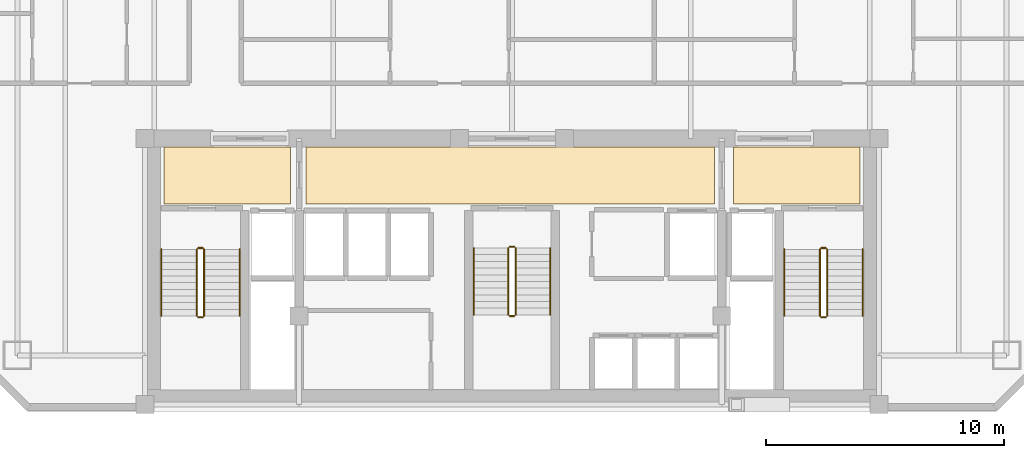
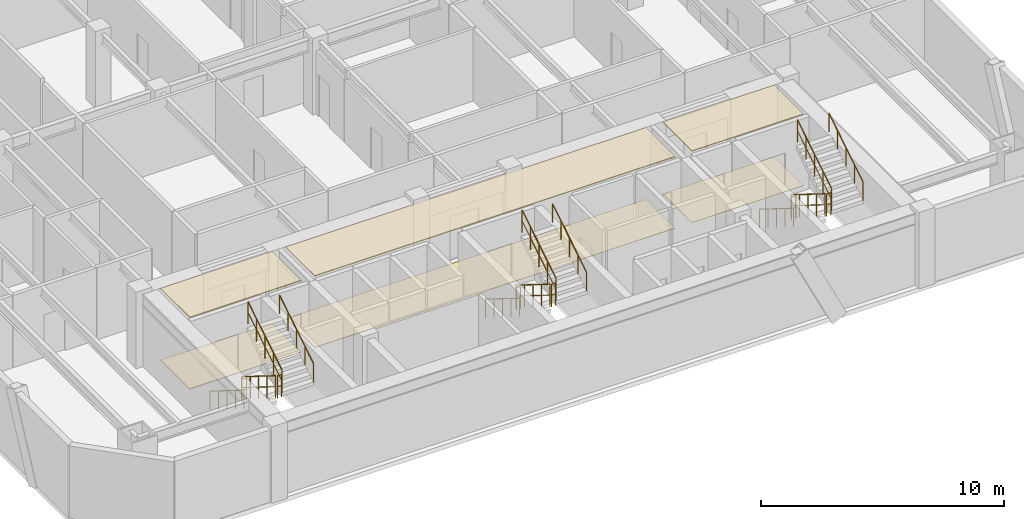
# One storey, part 8 of 8: 18 railings, 6 coverings.
"""IFC4 building model written with IfcOpenShell, lengths in metres."""

from ifc_helpers import new_model, si_unit, direction, frame, origin, origin_2d, place, context, subcontext, project, spatial, polyline, circle, outline, extrude, material, layer, layer_set, type_object, element, save


model = new_model("IFC4")

# Units and contexts
model_context = context("Model", 3, precision=1e-05, world=origin(), true_north=direction((0.0, 1.0)))
body_context = subcontext(model_context, "Body", "Model", "MODEL_VIEW")
ifc_project = project(units=[si_unit("LENGTHUNIT", "METRE"), si_unit("AREAUNIT", "SQUARE_METRE"), si_unit("VOLUMEUNIT", "CUBIC_METRE"), si_unit("PLANEANGLEUNIT", "RADIAN"), si_unit("MASSUNIT", "GRAM", prefix="KILO")], contexts=[model_context])

# Site, building, storey
site_placement = place(None, origin())
site = spatial("IfcSite", under=ifc_project, at=site_placement, CompositionType="ELEMENT")
building_placement = place(site_placement, origin())
building = spatial("IfcBuilding", under=site, at=building_placement, Name="Ventersveld Concourse Tower", CompositionType="ELEMENT")
storey_placement = place(building_placement, frame((0.0, 0.0, 164.449951171875)))
storey = spatial("IfcBuildingStorey", under=building, at=storey_placement, Name="L40", CompositionType="ELEMENT", Elevation=164.449951171875)

# Coverings
ifc_material_1 = material(Name="Mineral-fibre acoustic ceiling tile", Category="gypsum")
ifc_layer_1 = layer(ifc_material_1, 0.0400390625)
ifc_layer_set_1 = layer_set([ifc_layer_1], Name="Mineral-fibre acoustic ceiling tile")
covering_type_1 = type_object("IfcCoveringType", Name="COV-CEIL-ACOUSTIC", PredefinedType="CEILING", material=ifc_layer_set_1)
covering_1_placement = place(storey_placement, frame((0.0, 0.0, 3.590087890625)))
element("IfcCovering", 1, at=covering_1_placement, inside=storey, type_object=covering_type_1, Name="L40 North Lift Lobby Acoustic Ceiling", PredefinedType="CEILING", context=body_context, shape_type="SweptSolid", body=[
    extrude(outline(polyline([(20.10009765625, 8.699951171875), (37.25, 8.699951171875), (37.25, 11.10009765625), (20.10009765625, 11.10009765625), (20.10009765625, 8.699951171875)])), origin(), (0.0, 0.0, 1.0), 0.0400390625),
])
covering_2_placement = place(storey_placement, frame((0.0, 0.0, 3.590087890625)))
element("IfcCovering", 2, at=covering_2_placement, inside=storey, type_object=covering_type_1, Name="L40 West Firefighting Lobby Acoustic Ceiling", PredefinedType="CEILING", context=body_context, shape_type="SweptSolid", body=[
    extrude(outline(polyline([(14.14990234375, 8.699951171875), (19.449951171875, 8.699951171875), (19.449951171875, 11.10009765625), (14.14990234375, 11.10009765625), (14.14990234375, 8.699951171875)])), origin(), (0.0, 0.0, 1.0), 0.0400390625),
])
covering_3_placement = place(storey_placement, frame((0.0, 0.0, 3.590087890625)))
element("IfcCovering", 3, at=covering_3_placement, inside=storey, type_object=covering_type_1, Name="L40 East Firefighting Lobby Acoustic Ceiling", PredefinedType="CEILING", context=body_context, shape_type="SweptSolid", body=[
    extrude(outline(polyline([(38.050048828125, 8.699951171875), (43.35009765625, 8.699951171875), (43.35009765625, 11.10009765625), (38.050048828125, 11.10009765625), (38.050048828125, 8.699951171875)])), origin(), (0.0, 0.0, 1.0), 0.0400390625),
])
ifc_material_2 = material(Name="Polished Highveld granite terrazzo", Category="masonry")
ifc_layer_2 = layer(ifc_material_2, 0.02001953125)
ifc_layer_set_2 = layer_set([ifc_layer_2], Name="Polished Highveld granite terrazzo")
covering_type_2 = type_object("IfcCoveringType", Name="COV-FLOOR-TERRAZZO", PredefinedType="FLOORING", material=ifc_layer_set_2)
covering_4_placement = place(storey_placement, origin())
element("IfcCovering", 4, at=covering_4_placement, inside=storey, type_object=covering_type_2, Name="L40 North Lift Lobby Terrazzo Flooring", PredefinedType="FLOORING", context=body_context, shape_type="SweptSolid", body=[
    extrude(outline(polyline([(20.10009765625, 8.699951171875), (37.25, 8.699951171875), (37.25, 11.10009765625), (20.10009765625, 11.10009765625), (20.10009765625, 8.699951171875)])), origin(), (0.0, 0.0, 1.0), 0.02001953125),
])
covering_5_placement = place(storey_placement, origin())
element("IfcCovering", 5, at=covering_5_placement, inside=storey, type_object=covering_type_2, Name="L40 West Firefighting Lobby Terrazzo Flooring", PredefinedType="FLOORING", context=body_context, shape_type="SweptSolid", body=[
    extrude(outline(polyline([(14.14990234375, 8.699951171875), (19.449951171875, 8.699951171875), (19.449951171875, 11.10009765625), (14.14990234375, 11.10009765625), (14.14990234375, 8.699951171875)])), origin(), (0.0, 0.0, 1.0), 0.02001953125),
])
covering_6_placement = place(storey_placement, origin())
element("IfcCovering", 6, at=covering_6_placement, inside=storey, type_object=covering_type_2, Name="L40 East Firefighting Lobby Terrazzo Flooring", PredefinedType="FLOORING", context=body_context, shape_type="SweptSolid", body=[
    extrude(outline(polyline([(38.050048828125, 8.699951171875), (43.35009765625, 8.699951171875), (43.35009765625, 11.10009765625), (38.050048828125, 11.10009765625), (38.050048828125, 8.699951171875)])), origin(), (0.0, 0.0, 1.0), 0.02001953125),
])

# Railings
ifc_material_3 = material(Name="Brushed stainless steel 316", Category="steel")
railing_type_1 = type_object("IfcRailingType", Name="GD-BAL-115", PredefinedType="GUARDRAIL", material=ifc_material_3)
railing_1_placement = place(storey_placement, frame((15.530029296875, 6.800048828125, 0.175048828125)))
element("IfcRailing", 7, at=railing_1_placement, inside=storey, type_object=railing_type_1, Name="L40 ST-01 stair guard 1", PredefinedType="GUARDRAIL", context=body_context, shape_type="SweptSolid", body=[
    extrude(circle(Radius=0.02392578125, at=origin_2d()), frame((0.0, 0.0, 1.1259765625), z_axis=(0.0, -0.848002457836, 0.529992293815), x_axis=(1.0, 0.0, 0.0)), (0.0, 0.0, 1.0), 3.302001953125),
    extrude(circle(Radius=0.01611328125, at=origin_2d()), frame((0.0, 0.0, 0.574951171875), z_axis=(0.0, -0.848002457836, 0.529992293815), x_axis=(1.0, 0.0, 0.0)), (0.0, 0.0, 1.0), 3.302001953125),
    extrude(circle(Radius=0.02099609375, at=origin_2d()), origin(), (0.0, 0.0, 1.0), 1.101806640625),
    extrude(circle(Radius=0.02099609375, at=origin_2d()), frame((0.0, -0.699951171875, 0.4375)), (0.0, 0.0, 1.0), 1.101806640625),
    extrude(circle(Radius=0.02099609375, at=origin_2d()), frame((0.0, -1.39990234375, 0.875)), (0.0, 0.0, 1.0), 1.101806640625),
    extrude(circle(Radius=0.02099609375, at=origin_2d()), frame((0.0, -2.10009765625, 1.3125)), (0.0, 0.0, 1.0), 1.101806640625),
    extrude(circle(Radius=0.02099609375, at=origin_2d()), frame((0.0, -2.800048828125, 1.75)), (0.0, 0.0, 1.0), 1.101806640625),
])
railing_2_placement = place(storey_placement, frame((15.580078125, 3.949951171875, 1.925048828125)))
element("IfcRailing", 8, at=railing_2_placement, inside=storey, type_object=railing_type_1, Name="L40 ST-01 stair guard 2", PredefinedType="GUARDRAIL", context=body_context, shape_type="SweptSolid", body=[
    extrude(circle(Radius=0.02392578125, at=origin_2d()), frame((0.0, 0.0, 1.1259765625), z_axis=(1.0, 0.0, 0.0), x_axis=(0.0, 1.0, 0.0)), (0.0, 0.0, 1.0), 0.199951171875),
    extrude(circle(Radius=0.01611328125, at=origin_2d()), frame((0.0, 0.0, 0.574951171875), z_axis=(1.0, 0.0, 0.0), x_axis=(0.0, 1.0, 0.0)), (0.0, 0.0, 1.0), 0.199951171875),
    extrude(circle(Radius=0.02099609375, at=origin_2d()), origin(), (0.0, 0.0, 1.0), 1.101806640625),
    extrude(circle(Radius=0.02099609375, at=origin_2d()), frame((0.199951171875, 0.0, 0.0)), (0.0, 0.0, 1.0), 1.101806640625),
])
railing_3_placement = place(storey_placement, frame((15.830078125, 4.0, 2.10009765625)))
element("IfcRailing", 9, at=railing_3_placement, inside=storey, type_object=railing_type_1, Name="L40 ST-01 stair guard 3", PredefinedType="GUARDRAIL", context=body_context, shape_type="SweptSolid", body=[
    extrude(circle(Radius=0.02392578125, at=origin_2d()), frame((0.0, 0.0, 1.1259765625), z_axis=(0.0, 0.848002457836, 0.529992293815), x_axis=(-1.0, 0.0, 0.0)), (0.0, 0.0, 1.0), 3.302001953125),
    extrude(circle(Radius=0.01611328125, at=origin_2d()), frame((0.0, 0.0, 0.574951171875), z_axis=(0.0, 0.848002457836, 0.529992293815), x_axis=(-1.0, 0.0, 0.0)), (0.0, 0.0, 1.0), 3.302001953125),
    extrude(circle(Radius=0.02099609375, at=origin_2d()), origin(), (0.0, 0.0, 1.0), 1.101806640625),
    extrude(circle(Radius=0.02099609375, at=origin_2d()), frame((0.0, 0.699951171875, 0.4375)), (0.0, 0.0, 1.0), 1.101806640625),
    extrude(circle(Radius=0.02099609375, at=origin_2d()), frame((0.0, 1.39990234375, 0.875)), (0.0, 0.0, 1.0), 1.101806640625),
    extrude(circle(Radius=0.02099609375, at=origin_2d()), frame((0.0, 2.10009765625, 1.3125)), (0.0, 0.0, 1.0), 1.101806640625),
    extrude(circle(Radius=0.02099609375, at=origin_2d()), frame((0.0, 2.800048828125, 1.75)), (0.0, 0.0, 1.0), 1.101806640625),
])
railing_4_placement = place(storey_placement, frame((15.580078125, 6.85009765625, 0.0)))
element("IfcRailing", 10, at=railing_4_placement, inside=storey, type_object=railing_type_1, Name="L40 ST-01 stair guard 4", PredefinedType="GUARDRAIL", context=body_context, shape_type="SweptSolid", body=[
    extrude(circle(Radius=0.02392578125, at=origin_2d()), frame((0.0, 0.0, 1.1259765625), z_axis=(1.0, 0.0, 0.0), x_axis=(0.0, 1.0, 0.0)), (0.0, 0.0, 1.0), 0.199951171875),
    extrude(circle(Radius=0.01611328125, at=origin_2d()), frame((0.0, 0.0, 0.574951171875), z_axis=(1.0, 0.0, 0.0), x_axis=(0.0, 1.0, 0.0)), (0.0, 0.0, 1.0), 0.199951171875),
    extrude(circle(Radius=0.02099609375, at=origin_2d()), origin(), (0.0, 0.0, 1.0), 1.101806640625),
    extrude(circle(Radius=0.02099609375, at=origin_2d()), frame((0.199951171875, 0.0, 0.0)), (0.0, 0.0, 1.0), 1.101806640625),
])
railing_5_placement = place(storey_placement, frame((41.669921875, 6.800048828125, 0.175048828125)))
element("IfcRailing", 11, at=railing_5_placement, inside=storey, type_object=railing_type_1, Name="L40 ST-02 stair guard 1", PredefinedType="GUARDRAIL", context=body_context, shape_type="SweptSolid", body=[
    extrude(circle(Radius=0.02392578125, at=origin_2d()), frame((0.0, 0.0, 1.1259765625), z_axis=(0.0, -0.848002457836, 0.529992293815), x_axis=(1.0, 0.0, 0.0)), (0.0, 0.0, 1.0), 3.302001953125),
    extrude(circle(Radius=0.01611328125, at=origin_2d()), frame((0.0, 0.0, 0.574951171875), z_axis=(0.0, -0.848002457836, 0.529992293815), x_axis=(1.0, 0.0, 0.0)), (0.0, 0.0, 1.0), 3.302001953125),
    extrude(circle(Radius=0.02099609375, at=origin_2d()), origin(), (0.0, 0.0, 1.0), 1.101806640625),
    extrude(circle(Radius=0.02099609375, at=origin_2d()), frame((0.0, -0.699951171875, 0.4375)), (0.0, 0.0, 1.0), 1.101806640625),
    extrude(circle(Radius=0.02099609375, at=origin_2d()), frame((0.0, -1.39990234375, 0.875)), (0.0, 0.0, 1.0), 1.101806640625),
    extrude(circle(Radius=0.02099609375, at=origin_2d()), frame((0.0, -2.10009765625, 1.3125)), (0.0, 0.0, 1.0), 1.101806640625),
    extrude(circle(Radius=0.02099609375, at=origin_2d()), frame((0.0, -2.800048828125, 1.75)), (0.0, 0.0, 1.0), 1.101806640625),
])
railing_6_placement = place(storey_placement, frame((41.719970703125, 3.949951171875, 1.925048828125)))
element("IfcRailing", 12, at=railing_6_placement, inside=storey, type_object=railing_type_1, Name="L40 ST-02 stair guard 2", PredefinedType="GUARDRAIL", context=body_context, shape_type="SweptSolid", body=[
    extrude(circle(Radius=0.02392578125, at=origin_2d()), frame((0.0, 0.0, 1.1259765625), z_axis=(1.0, 0.0, 0.0), x_axis=(0.0, 1.0, 0.0)), (0.0, 0.0, 1.0), 0.199951171875),
    extrude(circle(Radius=0.01611328125, at=origin_2d()), frame((0.0, 0.0, 0.574951171875), z_axis=(1.0, 0.0, 0.0), x_axis=(0.0, 1.0, 0.0)), (0.0, 0.0, 1.0), 0.199951171875),
    extrude(circle(Radius=0.02099609375, at=origin_2d()), origin(), (0.0, 0.0, 1.0), 1.101806640625),
    extrude(circle(Radius=0.02099609375, at=origin_2d()), frame((0.199951171875, 0.0, 0.0)), (0.0, 0.0, 1.0), 1.101806640625),
])
railing_7_placement = place(storey_placement, frame((41.969970703125, 4.0, 2.10009765625)))
element("IfcRailing", 13, at=railing_7_placement, inside=storey, type_object=railing_type_1, Name="L40 ST-02 stair guard 3", PredefinedType="GUARDRAIL", context=body_context, shape_type="SweptSolid", body=[
    extrude(circle(Radius=0.02392578125, at=origin_2d()), frame((0.0, 0.0, 1.1259765625), z_axis=(0.0, 0.848002457836, 0.529992293815), x_axis=(-1.0, 0.0, 0.0)), (0.0, 0.0, 1.0), 3.302001953125),
    extrude(circle(Radius=0.01611328125, at=origin_2d()), frame((0.0, 0.0, 0.574951171875), z_axis=(0.0, 0.848002457836, 0.529992293815), x_axis=(-1.0, 0.0, 0.0)), (0.0, 0.0, 1.0), 3.302001953125),
    extrude(circle(Radius=0.02099609375, at=origin_2d()), origin(), (0.0, 0.0, 1.0), 1.101806640625),
    extrude(circle(Radius=0.02099609375, at=origin_2d()), frame((0.0, 0.699951171875, 0.4375)), (0.0, 0.0, 1.0), 1.101806640625),
    extrude(circle(Radius=0.02099609375, at=origin_2d()), frame((0.0, 1.39990234375, 0.875)), (0.0, 0.0, 1.0), 1.101806640625),
    extrude(circle(Radius=0.02099609375, at=origin_2d()), frame((0.0, 2.10009765625, 1.3125)), (0.0, 0.0, 1.0), 1.101806640625),
    extrude(circle(Radius=0.02099609375, at=origin_2d()), frame((0.0, 2.800048828125, 1.75)), (0.0, 0.0, 1.0), 1.101806640625),
])
railing_8_placement = place(storey_placement, frame((41.719970703125, 6.85009765625, 0.0)))
element("IfcRailing", 14, at=railing_8_placement, inside=storey, type_object=railing_type_1, Name="L40 ST-02 stair guard 4", PredefinedType="GUARDRAIL", context=body_context, shape_type="SweptSolid", body=[
    extrude(circle(Radius=0.02392578125, at=origin_2d()), frame((0.0, 0.0, 1.1259765625), z_axis=(1.0, 0.0, 0.0), x_axis=(0.0, 1.0, 0.0)), (0.0, 0.0, 1.0), 0.199951171875),
    extrude(circle(Radius=0.01611328125, at=origin_2d()), frame((0.0, 0.0, 0.574951171875), z_axis=(1.0, 0.0, 0.0), x_axis=(0.0, 1.0, 0.0)), (0.0, 0.0, 1.0), 0.199951171875),
    extrude(circle(Radius=0.02099609375, at=origin_2d()), origin(), (0.0, 0.0, 1.0), 1.101806640625),
    extrude(circle(Radius=0.02099609375, at=origin_2d()), frame((0.199951171875, 0.0, 0.0)), (0.0, 0.0, 1.0), 1.101806640625),
])
railing_9_placement = place(storey_placement, frame((28.60009765625, 6.85009765625, 0.175048828125)))
element("IfcRailing", 15, at=railing_9_placement, inside=storey, type_object=railing_type_1, Name="L40 ST-03 stair guard 1", PredefinedType="GUARDRAIL", context=body_context, shape_type="SweptSolid", body=[
    extrude(circle(Radius=0.02392578125, at=origin_2d()), frame((0.0, 0.0, 1.1259765625), z_axis=(0.0, -0.848002457836, 0.529992293815), x_axis=(1.0, 0.0, 0.0)), (0.0, 0.0, 1.0), 3.302001953125),
    extrude(circle(Radius=0.01611328125, at=origin_2d()), frame((0.0, 0.0, 0.574951171875), z_axis=(0.0, -0.848002457836, 0.529992293815), x_axis=(1.0, 0.0, 0.0)), (0.0, 0.0, 1.0), 3.302001953125),
    extrude(circle(Radius=0.02099609375, at=origin_2d()), origin(), (0.0, 0.0, 1.0), 1.101806640625),
    extrude(circle(Radius=0.02099609375, at=origin_2d()), frame((0.0, -0.699951171875, 0.4375)), (0.0, 0.0, 1.0), 1.101806640625),
    extrude(circle(Radius=0.02099609375, at=origin_2d()), frame((0.0, -1.39990234375, 0.875)), (0.0, 0.0, 1.0), 1.101806640625),
    extrude(circle(Radius=0.02099609375, at=origin_2d()), frame((0.0, -2.10009765625, 1.3125)), (0.0, 0.0, 1.0), 1.101806640625),
    extrude(circle(Radius=0.02099609375, at=origin_2d()), frame((0.0, -2.800048828125, 1.75)), (0.0, 0.0, 1.0), 1.101806640625),
])
railing_10_placement = place(storey_placement, frame((28.64990234375, 4.0, 1.925048828125)))
element("IfcRailing", 16, at=railing_10_placement, inside=storey, type_object=railing_type_1, Name="L40 ST-03 stair guard 2", PredefinedType="GUARDRAIL", context=body_context, shape_type="SweptSolid", body=[
    extrude(circle(Radius=0.02392578125, at=origin_2d()), frame((0.0, 0.0, 1.1259765625), z_axis=(1.0, 0.0, 0.0), x_axis=(0.0, 1.0, 0.0)), (0.0, 0.0, 1.0), 0.2001953125),
    extrude(circle(Radius=0.01611328125, at=origin_2d()), frame((0.0, 0.0, 0.574951171875), z_axis=(1.0, 0.0, 0.0), x_axis=(0.0, 1.0, 0.0)), (0.0, 0.0, 1.0), 0.2001953125),
    extrude(circle(Radius=0.02099609375, at=origin_2d()), origin(), (0.0, 0.0, 1.0), 1.101806640625),
    extrude(circle(Radius=0.02099609375, at=origin_2d()), frame((0.2001953125, 0.0, 0.0)), (0.0, 0.0, 1.0), 1.101806640625),
])
railing_11_placement = place(storey_placement, frame((28.89990234375, 4.050048828125, 2.10009765625)))
element("IfcRailing", 17, at=railing_11_placement, inside=storey, type_object=railing_type_1, Name="L40 ST-03 stair guard 3", PredefinedType="GUARDRAIL", context=body_context, shape_type="SweptSolid", body=[
    extrude(circle(Radius=0.02392578125, at=origin_2d()), frame((0.0, 0.0, 1.1259765625), z_axis=(0.0, 0.848002457836, 0.529992293815), x_axis=(-1.0, 0.0, 0.0)), (0.0, 0.0, 1.0), 3.302001953125),
    extrude(circle(Radius=0.01611328125, at=origin_2d()), frame((0.0, 0.0, 0.574951171875), z_axis=(0.0, 0.848002457836, 0.529992293815), x_axis=(-1.0, 0.0, 0.0)), (0.0, 0.0, 1.0), 3.302001953125),
    extrude(circle(Radius=0.02099609375, at=origin_2d()), origin(), (0.0, 0.0, 1.0), 1.101806640625),
    extrude(circle(Radius=0.02099609375, at=origin_2d()), frame((0.0, 0.699951171875, 0.4375)), (0.0, 0.0, 1.0), 1.101806640625),
    extrude(circle(Radius=0.02099609375, at=origin_2d()), frame((0.0, 1.39990234375, 0.875)), (0.0, 0.0, 1.0), 1.101806640625),
    extrude(circle(Radius=0.02099609375, at=origin_2d()), frame((0.0, 2.10009765625, 1.3125)), (0.0, 0.0, 1.0), 1.101806640625),
    extrude(circle(Radius=0.02099609375, at=origin_2d()), frame((0.0, 2.800048828125, 1.75)), (0.0, 0.0, 1.0), 1.101806640625),
])
railing_12_placement = place(storey_placement, frame((28.64990234375, 6.89990234375, 0.0)))
element("IfcRailing", 18, at=railing_12_placement, inside=storey, type_object=railing_type_1, Name="L40 ST-03 stair guard 4", PredefinedType="GUARDRAIL", context=body_context, shape_type="SweptSolid", body=[
    extrude(circle(Radius=0.02392578125, at=origin_2d()), frame((0.0, 0.0, 1.1259765625), z_axis=(1.0, 0.0, 0.0), x_axis=(0.0, 1.0, 0.0)), (0.0, 0.0, 1.0), 0.2001953125),
    extrude(circle(Radius=0.01611328125, at=origin_2d()), frame((0.0, 0.0, 0.574951171875), z_axis=(1.0, 0.0, 0.0), x_axis=(0.0, 1.0, 0.0)), (0.0, 0.0, 1.0), 0.2001953125),
    extrude(circle(Radius=0.02099609375, at=origin_2d()), origin(), (0.0, 0.0, 1.0), 1.101806640625),
    extrude(circle(Radius=0.02099609375, at=origin_2d()), frame((0.2001953125, 0.0, 0.0)), (0.0, 0.0, 1.0), 1.101806640625),
])
railing_type_2 = type_object("IfcRailingType", Name="HR-RMP-095", PredefinedType="HANDRAIL", material=ifc_material_3)
railing_13_placement = place(storey_placement, frame((14.030029296875, 6.800048828125, 0.175048828125)))
element("IfcRailing", 19, at=railing_13_placement, inside=storey, type_object=railing_type_2, Name="L40 ST-01 stair handrail 1", PredefinedType="HANDRAIL", context=body_context, shape_type="SweptSolid", body=[
    extrude(circle(Radius=0.02392578125, at=origin_2d()), frame((0.0, 0.0, 0.92578125), z_axis=(0.0, -0.848002457836, 0.529992293815), x_axis=(1.0, 0.0, 0.0)), (0.0, 0.0, 1.0), 3.302001953125),
    extrude(circle(Radius=0.02099609375, at=origin_2d()), origin(), (0.0, 0.0, 1.0), 0.90185546875),
    extrude(circle(Radius=0.02099609375, at=origin_2d()), frame((0.0, -0.699951171875, 0.4375)), (0.0, 0.0, 1.0), 0.90185546875),
    extrude(circle(Radius=0.02099609375, at=origin_2d()), frame((0.0, -1.39990234375, 0.875)), (0.0, 0.0, 1.0), 0.90185546875),
    extrude(circle(Radius=0.02099609375, at=origin_2d()), frame((0.0, -2.10009765625, 1.3125)), (0.0, 0.0, 1.0), 0.90185546875),
    extrude(circle(Radius=0.02099609375, at=origin_2d()), frame((0.0, -2.800048828125, 1.75)), (0.0, 0.0, 1.0), 0.90185546875),
])
railing_14_placement = place(storey_placement, frame((17.330078125, 4.0, 2.10009765625)))
element("IfcRailing", 20, at=railing_14_placement, inside=storey, type_object=railing_type_2, Name="L40 ST-01 stair handrail 2", PredefinedType="HANDRAIL", context=body_context, shape_type="SweptSolid", body=[
    extrude(circle(Radius=0.02392578125, at=origin_2d()), frame((0.0, 0.0, 0.92578125), z_axis=(0.0, 0.848002457836, 0.529992293815), x_axis=(-1.0, 0.0, 0.0)), (0.0, 0.0, 1.0), 3.302001953125),
    extrude(circle(Radius=0.02099609375, at=origin_2d()), origin(), (0.0, 0.0, 1.0), 0.90185546875),
    extrude(circle(Radius=0.02099609375, at=origin_2d()), frame((0.0, 0.699951171875, 0.4375)), (0.0, 0.0, 1.0), 0.90185546875),
    extrude(circle(Radius=0.02099609375, at=origin_2d()), frame((0.0, 1.39990234375, 0.875)), (0.0, 0.0, 1.0), 0.90185546875),
    extrude(circle(Radius=0.02099609375, at=origin_2d()), frame((0.0, 2.10009765625, 1.3125)), (0.0, 0.0, 1.0), 0.90185546875),
    extrude(circle(Radius=0.02099609375, at=origin_2d()), frame((0.0, 2.800048828125, 1.75)), (0.0, 0.0, 1.0), 0.90185546875),
])
railing_15_placement = place(storey_placement, frame((40.169921875, 6.800048828125, 0.175048828125)))
element("IfcRailing", 21, at=railing_15_placement, inside=storey, type_object=railing_type_2, Name="L40 ST-02 stair handrail 1", PredefinedType="HANDRAIL", context=body_context, shape_type="SweptSolid", body=[
    extrude(circle(Radius=0.02392578125, at=origin_2d()), frame((0.0, 0.0, 0.92578125), z_axis=(0.0, -0.848002457836, 0.529992293815), x_axis=(1.0, 0.0, 0.0)), (0.0, 0.0, 1.0), 3.302001953125),
    extrude(circle(Radius=0.02099609375, at=origin_2d()), origin(), (0.0, 0.0, 1.0), 0.90185546875),
    extrude(circle(Radius=0.02099609375, at=origin_2d()), frame((0.0, -0.699951171875, 0.4375)), (0.0, 0.0, 1.0), 0.90185546875),
    extrude(circle(Radius=0.02099609375, at=origin_2d()), frame((0.0, -1.39990234375, 0.875)), (0.0, 0.0, 1.0), 0.90185546875),
    extrude(circle(Radius=0.02099609375, at=origin_2d()), frame((0.0, -2.10009765625, 1.3125)), (0.0, 0.0, 1.0), 0.90185546875),
    extrude(circle(Radius=0.02099609375, at=origin_2d()), frame((0.0, -2.800048828125, 1.75)), (0.0, 0.0, 1.0), 0.90185546875),
])
railing_16_placement = place(storey_placement, frame((43.469970703125, 4.0, 2.10009765625)))
element("IfcRailing", 22, at=railing_16_placement, inside=storey, type_object=railing_type_2, Name="L40 ST-02 stair handrail 2", PredefinedType="HANDRAIL", context=body_context, shape_type="SweptSolid", body=[
    extrude(circle(Radius=0.02392578125, at=origin_2d()), frame((0.0, 0.0, 0.92578125), z_axis=(0.0, 0.848002457836, 0.529992293815), x_axis=(-1.0, 0.0, 0.0)), (0.0, 0.0, 1.0), 3.302001953125),
    extrude(circle(Radius=0.02099609375, at=origin_2d()), origin(), (0.0, 0.0, 1.0), 0.90185546875),
    extrude(circle(Radius=0.02099609375, at=origin_2d()), frame((0.0, 0.699951171875, 0.4375)), (0.0, 0.0, 1.0), 0.90185546875),
    extrude(circle(Radius=0.02099609375, at=origin_2d()), frame((0.0, 1.39990234375, 0.875)), (0.0, 0.0, 1.0), 0.90185546875),
    extrude(circle(Radius=0.02099609375, at=origin_2d()), frame((0.0, 2.10009765625, 1.3125)), (0.0, 0.0, 1.0), 0.90185546875),
    extrude(circle(Radius=0.02099609375, at=origin_2d()), frame((0.0, 2.800048828125, 1.75)), (0.0, 0.0, 1.0), 0.90185546875),
])
railing_17_placement = place(storey_placement, frame((27.14990234375, 6.85009765625, 0.175048828125)))
element("IfcRailing", 23, at=railing_17_placement, inside=storey, type_object=railing_type_2, Name="L40 ST-03 stair handrail 1", PredefinedType="HANDRAIL", context=body_context, shape_type="SweptSolid", body=[
    extrude(circle(Radius=0.02392578125, at=origin_2d()), frame((0.0, 0.0, 0.92578125), z_axis=(0.0, -0.848002457836, 0.529992293815), x_axis=(1.0, 0.0, 0.0)), (0.0, 0.0, 1.0), 3.302001953125),
    extrude(circle(Radius=0.02099609375, at=origin_2d()), origin(), (0.0, 0.0, 1.0), 0.90185546875),
    extrude(circle(Radius=0.02099609375, at=origin_2d()), frame((0.0, -0.699951171875, 0.4375)), (0.0, 0.0, 1.0), 0.90185546875),
    extrude(circle(Radius=0.02099609375, at=origin_2d()), frame((0.0, -1.39990234375, 0.875)), (0.0, 0.0, 1.0), 0.90185546875),
    extrude(circle(Radius=0.02099609375, at=origin_2d()), frame((0.0, -2.10009765625, 1.3125)), (0.0, 0.0, 1.0), 0.90185546875),
    extrude(circle(Radius=0.02099609375, at=origin_2d()), frame((0.0, -2.800048828125, 1.75)), (0.0, 0.0, 1.0), 0.90185546875),
])
railing_18_placement = place(storey_placement, frame((30.35009765625, 4.050048828125, 2.10009765625)))
element("IfcRailing", 24, at=railing_18_placement, inside=storey, type_object=railing_type_2, Name="L40 ST-03 stair handrail 2", PredefinedType="HANDRAIL", context=body_context, shape_type="SweptSolid", body=[
    extrude(circle(Radius=0.02392578125, at=origin_2d()), frame((0.0, 0.0, 0.92578125), z_axis=(0.0, 0.848002457836, 0.529992293815), x_axis=(-1.0, 0.0, 0.0)), (0.0, 0.0, 1.0), 3.302001953125),
    extrude(circle(Radius=0.02099609375, at=origin_2d()), origin(), (0.0, 0.0, 1.0), 0.90185546875),
    extrude(circle(Radius=0.02099609375, at=origin_2d()), frame((0.0, 0.699951171875, 0.4375)), (0.0, 0.0, 1.0), 0.90185546875),
    extrude(circle(Radius=0.02099609375, at=origin_2d()), frame((0.0, 1.39990234375, 0.875)), (0.0, 0.0, 1.0), 0.90185546875),
    extrude(circle(Radius=0.02099609375, at=origin_2d()), frame((0.0, 2.10009765625, 1.3125)), (0.0, 0.0, 1.0), 0.90185546875),
    extrude(circle(Radius=0.02099609375, at=origin_2d()), frame((0.0, 2.800048828125, 1.75)), (0.0, 0.0, 1.0), 0.90185546875),
])

save(model, "model.ifc")
